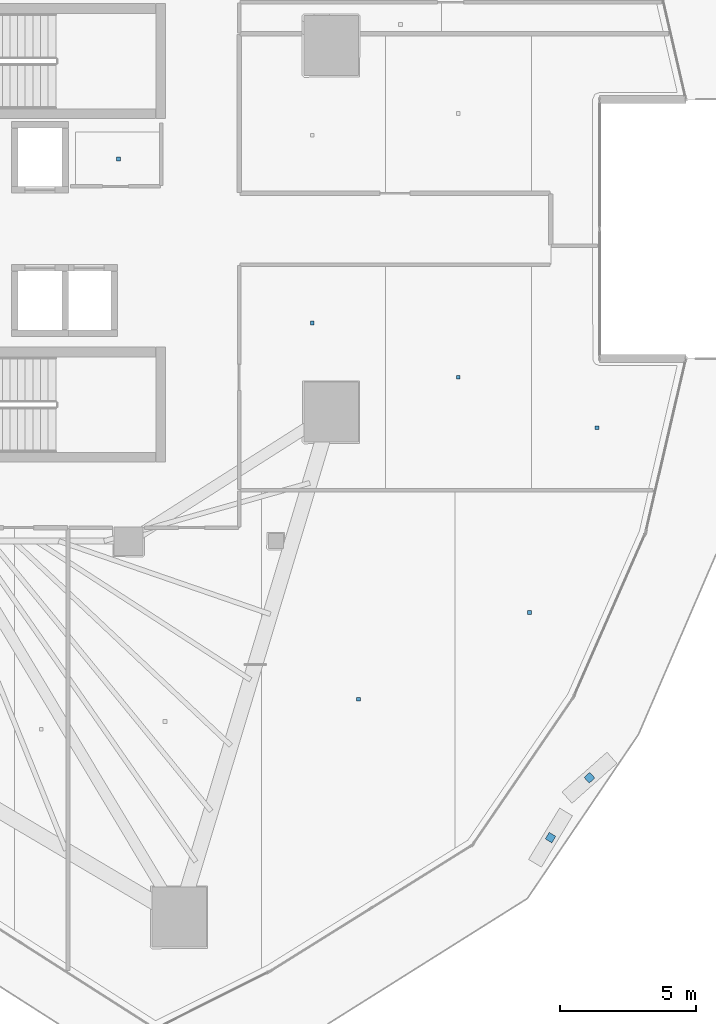
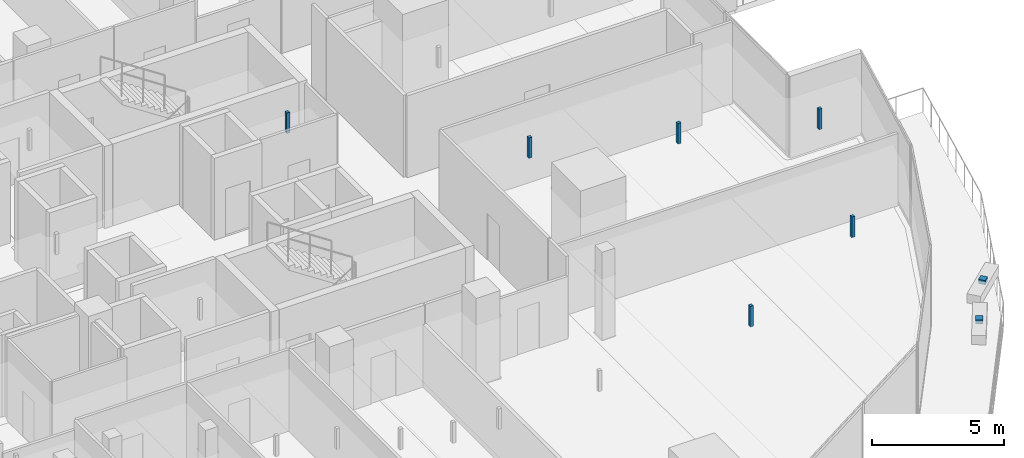
# One storey, part 30 of 39: 8 discrete accessories.
"""IFC4 building model written with IfcOpenShell, lengths in metres."""

from ifc_helpers import new_model, si_unit, direction, frame, origin, origin_2d, place, context, subcontext, project, spatial, rectangle, extrude, material, type_object, element, save


model = new_model("IFC4")

# Units and contexts
model_context = context("Model", 3, precision=1e-05, world=origin(), true_north=direction((0.0, 1.0)))
body_context = subcontext(model_context, "Body", "Model", "MODEL_VIEW")
ifc_project = project(units=[si_unit("LENGTHUNIT", "METRE"), si_unit("AREAUNIT", "SQUARE_METRE"), si_unit("VOLUMEUNIT", "CUBIC_METRE"), si_unit("PLANEANGLEUNIT", "RADIAN"), si_unit("MASSUNIT", "GRAM", prefix="KILO")], contexts=[model_context])

# Site, building, storey
site_placement = place(None, origin())
site = spatial("IfcSite", under=ifc_project, at=site_placement, CompositionType="ELEMENT")
building_placement = place(site_placement, origin())
building = spatial("IfcBuilding", under=site, at=building_placement, Name="Qorvath Tower", CompositionType="ELEMENT")
storey_placement = place(building_placement, frame((0.0, 0.0, 162.449951171875)))
storey = spatial("IfcBuildingStorey", under=building, at=storey_placement, Name="L37", CompositionType="ELEMENT", Elevation=162.449951171875)

# Discrete accessories
ifc_material = material(Name="Galvanised steel bracket", Category="steel")
discrete_accessory_type = type_object("IfcDiscreteAccessoryType", Name="DA-BRACKET", PredefinedType="BRACKET", material=ifc_material)
for number, where, z_axis, x_axis, name in (
    (1, (-1.721923828125, -22.32666015625, 3.64013671875), (0.0, 0.0, 1.0), (0.518197188836, 0.855261172673, 0.0), "Louvre Wave Support Bracket L37-03"),
    (2, (-0.29296875, -20.13037109375, 3.64013671875), (0.0, 0.0, 1.0), (0.748506830915, 0.663127079883, 0.0), "Louvre Wave Support Bracket L37-04"),
):
    element("IfcDiscreteAccessory", number, at=place(storey_placement, frame(where, z_axis=z_axis, x_axis=x_axis)), inside=storey, type_object=discrete_accessory_type, Name=name, PredefinedType="NOTDEFINED", context=body_context, shape_type="SweptSolid", body=[
        extrude(rectangle(XDim=0.280029296875, YDim=0.280029296875, at=origin_2d()), origin(), (0.0, 0.0, 1.0), 0.199951171875),
    ])
for number, where, z_axis, x_axis, name in (
    (3, (-17.572509765625, 2.5625, 2.85986328125), (0.0, 0.0, 1.0), (1.0, 0.0, 0.0), "Acoustic Ceiling Suspension Hanger T1-L37-003"),
    (4, (-8.7685546875, -17.248779296875, 2.85986328125), (0.0, 0.0, 1.0), (1.0, 0.0, 0.0), "Acoustic Ceiling Suspension Hanger T1-L37-030"),
    (5, (-2.49755859375, -14.067626953125, 2.85986328125), (0.0, 0.0, 1.0), (1.0, 0.0, 0.0), "Acoustic Ceiling Suspension Hanger T1-L37-031"),
    (6, (-10.4599609375, -3.446044921875, 2.85986328125), (0.0, 0.0, 1.0), (1.0, 0.0, 0.0), "Acoustic Ceiling Suspension Hanger T1-L37-032"),
    (7, (-5.10595703125, -5.444091796875, 2.85986328125), (0.0, 0.0, 1.0), (1.0, 0.0, 0.0), "Acoustic Ceiling Suspension Hanger T1-L37-033"),
    (8, (-0.0166015625, -7.291748046875, 2.85986328125), (0.0, 0.0, 1.0), (1.0, 0.0, 0.0), "Acoustic Ceiling Suspension Hanger T1-L37-034"),
):
    element("IfcDiscreteAccessory", number, at=place(storey_placement, frame(where, z_axis=z_axis, x_axis=x_axis)), inside=storey, type_object=discrete_accessory_type, Name=name, PredefinedType="NOTDEFINED", context=body_context, shape_type="SweptSolid", body=[
        extrude(rectangle(XDim=0.139892578125, YDim=0.139892578125, at=origin_2d()), origin(), (0.0, 0.0, 1.0), 0.949951171875),
    ])

save(model, "model.ifc")
